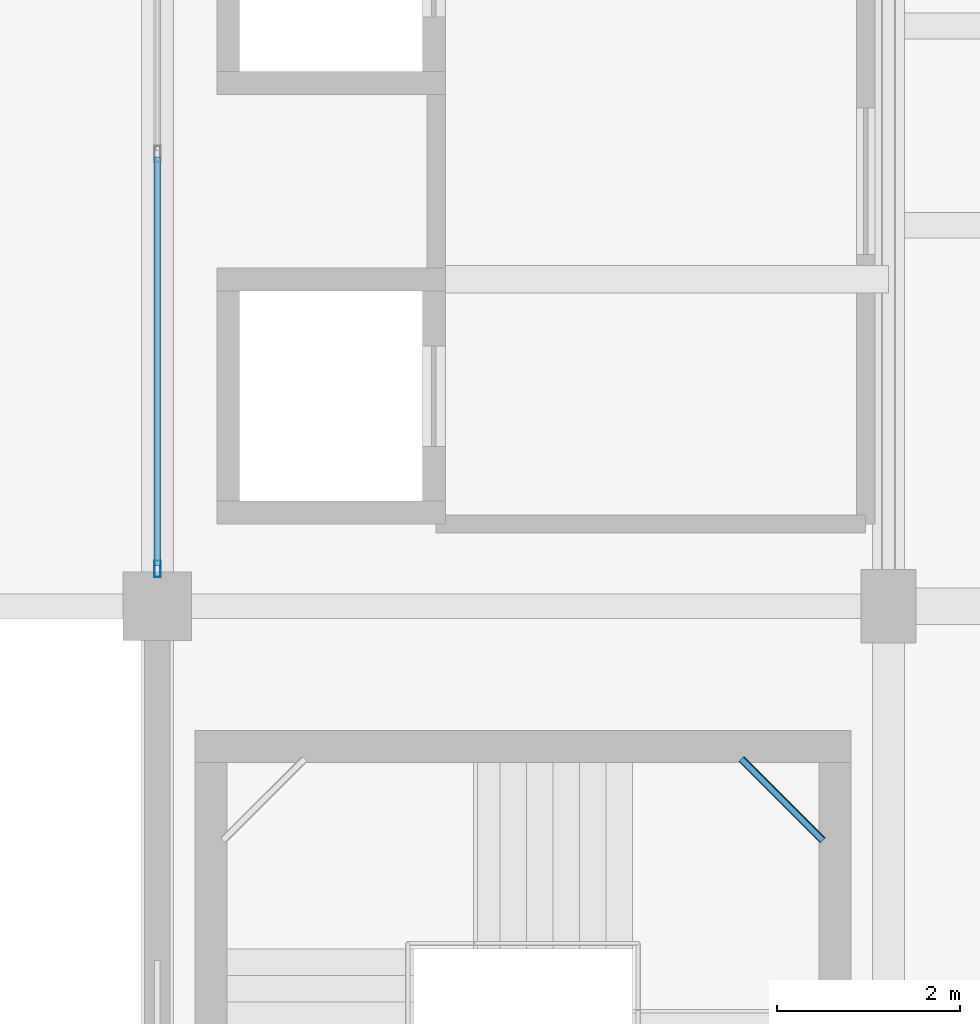
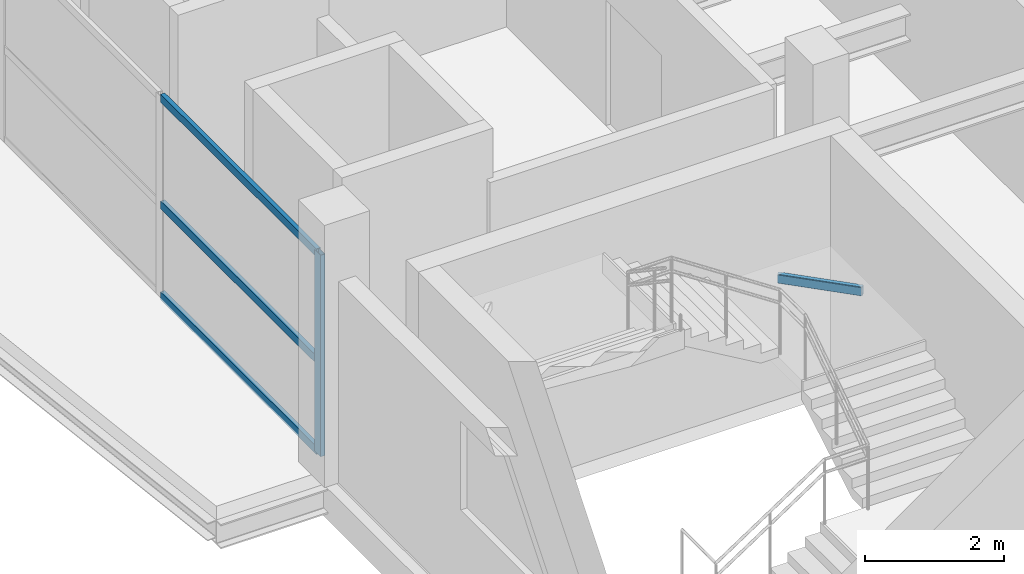
# One storey, part 6 of 55: 4 members, 1 beam, 1 element without a shape of its own.
"""IFC4 building model written with IfcOpenShell, lengths in metres."""

from ifc_helpers import new_model, si_unit, direction, frame, origin, origin_2d, place, context, subcontext, project, spatial, hollow_rectangle, extrude, material, layer, layer_set, material_profile, profile_set, type_object, element, aggregate, save


model = new_model("IFC4")

# Units and contexts
model_context = context("Model", 3, precision=1e-05, world=origin(), true_north=direction((0.0, 1.0)))
body_context = subcontext(model_context, "Body", "Model", "MODEL_VIEW")
ifc_project = project(units=[si_unit("LENGTHUNIT", "METRE"), si_unit("AREAUNIT", "SQUARE_METRE"), si_unit("VOLUMEUNIT", "CUBIC_METRE"), si_unit("PLANEANGLEUNIT", "RADIAN"), si_unit("MASSUNIT", "GRAM", prefix="KILO")], contexts=[model_context])

# Site, building, storey
site_placement = place(None, origin())
site = spatial("IfcSite", under=ifc_project, at=site_placement, CompositionType="ELEMENT")
building_placement = place(site_placement, origin())
building = spatial("IfcBuilding", under=site, at=building_placement, Name="Sillaruma Civic Art Gallery", CompositionType="ELEMENT")
storey_placement = place(building_placement, frame((0.0, 0.0, 37.739990234375)))
storey = spatial("IfcBuildingStorey", under=building, at=storey_placement, Name="L07", CompositionType="ELEMENT", Elevation=37.739990234375)

# Beam
ifc_material_1 = material(Name="Structural Steel ASTM A500 Gr.C", Category="steel")
ifc_material_profile_1 = material_profile(ifc_material_1, hollow_rectangle(XDim=0.080078125, YDim=0.159912109375, WallThickness=0.008056640625, InnerFilletRadius=0.008056640625, OuterFilletRadius=0.01611328125, at=origin_2d()), Name="HSS160x80x8")
ifc_profile_set_1 = profile_set([ifc_material_profile_1], Name="Structural Steel ASTM A500 Gr.C")
beam_type = type_object("IfcBeamType", Name="BM-LND-HSS160", PredefinedType="BEAM", material=ifc_profile_set_1)
beam_placement = place(storey_placement, frame((68.389892578125, 37.929931640625, 2.10009765625), z_axis=(0.707203758046, -0.707009791025, 0.0), x_axis=(0.707009791025, 0.707203758046, 0.0)))
element("IfcBeam", 1, at=beam_placement, inside=storey, type_object=beam_type, Name="Stair Corner Landing Trimmer Beam (ST-03-L07-2)", PredefinedType="BEAM", context=body_context, shape_type="SweptSolid", body=[
    extrude(hollow_rectangle(XDim=0.080078125, YDim=0.159912109375, WallThickness=0.008056640625, InnerFilletRadius=0.008056640625, OuterFilletRadius=0.01611328125, at=origin_2d()), origin(), (0.0, 0.0, 1.0), 1.2587890625),
])

# Curtain wall, members
ifc_material_2 = material(Name="Thermally Broken Extruded Aluminium 6063-T6", Category="aluminium")
ifc_layer = layer(ifc_material_2, 0.179931640625, Name="Thermally Broken Extruded Aluminium 6063-T6")
ifc_layer_set = layer_set([ifc_layer], Name="Thermally Broken Extruded Aluminium 6063-T6")
curtain_wall_type = type_object("IfcCurtainWallType", Name="CW-UNI-44", PredefinedType="NOTDEFINED", material=ifc_layer_set)
curtain_wall_placement = place(storey_placement, origin())
curtain_wall = element("IfcCurtainWall", 2, at=curtain_wall_placement, inside=storey, type_object=curtain_wall_type, Name="Unitised Curtain Wall CW-44 (CW-L07-W-3)", PredefinedType="NOTDEFINED")
ifc_material_profile_2 = material_profile(ifc_material_2, hollow_rectangle(XDim=0.070068359375, YDim=0.179931640625, WallThickness=0.00390625, at=origin_2d()), Name="CWM70x180")
ifc_profile_set_2 = profile_set([ifc_material_profile_2], Name="Thermally Broken Extruded Aluminium 6063-T6")
member_type_1 = type_object("IfcMemberType", Name="MEM-MUL-CWM70x180", PredefinedType="MULLION", material=ifc_profile_set_2)
member_1_placement = place(storey_placement, frame((62.0, 40.010009765625, 0.0), z_axis=(0.0, 0.0, 1.0), x_axis=(-1.0, 0.0, 0.0)))
member_1 = element("IfcMember", 3, at=member_1_placement, type_object=member_type_1, Name="CW-44 mullion 1", PredefinedType="MULLION", context=body_context, shape_type="SweptSolid", body=[
    extrude(hollow_rectangle(XDim=0.070068359375, YDim=0.179931640625, WallThickness=0.00390625, at=origin_2d()), origin(), (0.0, 0.0, 1.0), 3.530029296875),
])
ifc_material_profile_3 = material_profile(ifc_material_2, hollow_rectangle(XDim=0.070068359375, YDim=0.139892578125, WallThickness=0.00390625, at=origin_2d()), Name="CWT70x140")
ifc_profile_set_3 = profile_set([ifc_material_profile_3], Name="Thermally Broken Extruded Aluminium 6063-T6")
member_type_2 = type_object("IfcMemberType", Name="MEM-TRN-CWT70x140", PredefinedType="USERDEFINED", material=ifc_profile_set_3)
member_2_placement = place(storey_placement, frame((62.0, 40.044921875, 0.034912109375), z_axis=(0.0, 1.0, 0.0), x_axis=(-1.0, 0.0, 0.0)))
member_2 = element("IfcMember", 4, at=member_2_placement, type_object=member_type_2, Name="CW-44 transom 1.1", ObjectType="TRANSOM", PredefinedType="USERDEFINED", context=body_context, shape_type="SweptSolid", body=[
    extrude(hollow_rectangle(XDim=0.070068359375, YDim=0.139892578125, WallThickness=0.00390625, at=origin_2d()), origin(), (0.0, 0.0, 1.0), 4.469970703125),
])
member_3_placement = place(storey_placement, frame((62.0, 40.044921875, 1.623779296875), z_axis=(0.0, 1.0, 0.0), x_axis=(-1.0, 0.0, 0.0)))
member_3 = element("IfcMember", 5, at=member_3_placement, type_object=member_type_2, Name="CW-44 transom 1.2", ObjectType="TRANSOM", PredefinedType="USERDEFINED", context=body_context, shape_type="SweptSolid", body=[
    extrude(hollow_rectangle(XDim=0.070068359375, YDim=0.139892578125, WallThickness=0.00390625, at=origin_2d()), origin(), (0.0, 0.0, 1.0), 4.469970703125),
])
member_4_placement = place(storey_placement, frame((62.0, 40.044921875, 3.4951171875), z_axis=(0.0, 1.0, 0.0), x_axis=(-1.0, 0.0, 0.0)))
member_4 = element("IfcMember", 6, at=member_4_placement, type_object=member_type_2, Name="CW-44 transom 1.3", ObjectType="TRANSOM", PredefinedType="USERDEFINED", context=body_context, shape_type="SweptSolid", body=[
    extrude(hollow_rectangle(XDim=0.070068359375, YDim=0.139892578125, WallThickness=0.00390625, at=origin_2d()), origin(), (0.0, 0.0, 1.0), 4.469970703125),
])
aggregate(curtain_wall, [member_1, member_2, member_3, member_4])

save(model, "model.ifc")
